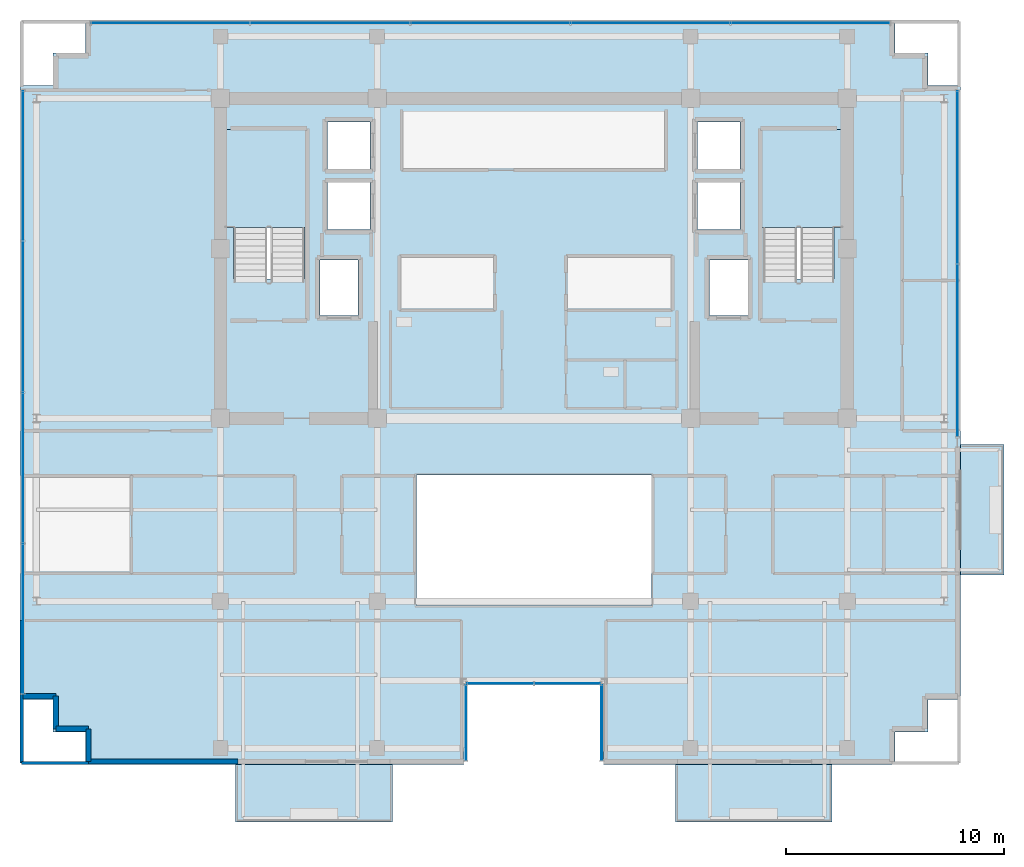
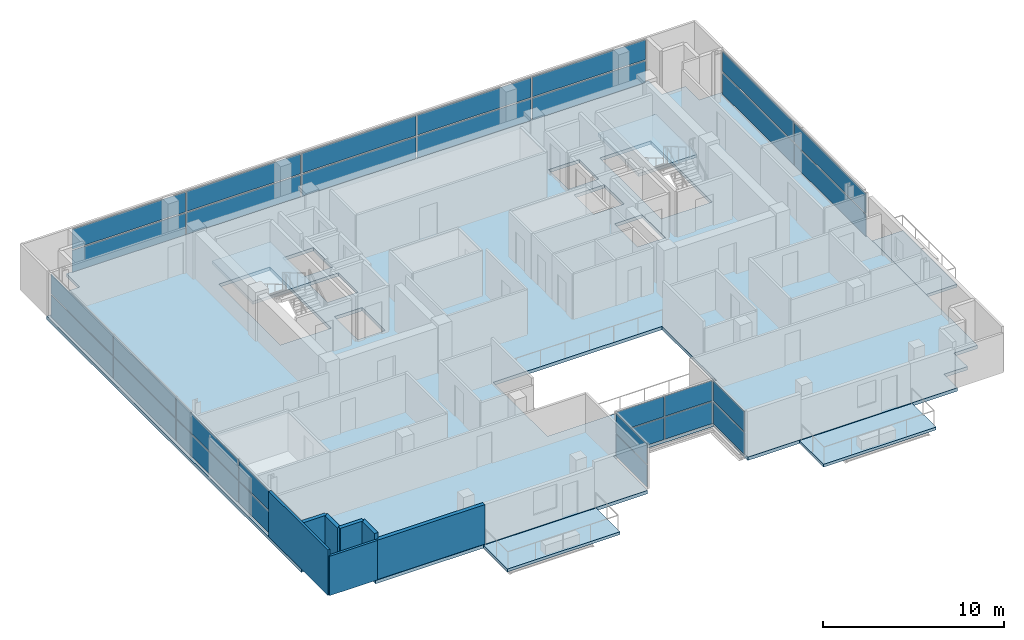
# One storey, part 15 of 23: 30 plates, 7 walls, 6 slabs, 8 elements without a shape of their own.
"""IFC4 building model written with IfcOpenShell, lengths in metres."""

from ifc_helpers import new_model, si_unit, direction, frame, frame_2d, origin, origin_2d, place, context, subcontext, project, spatial, polyline, rectangle, outline, extrude, source, transform, mapped, material, layer, layer_set, type_object, element, aggregate, save


model = new_model("IFC4")

# Units and contexts
model_context = context("Model", 3, precision=1e-05, world=origin(), true_north=direction((0.0, 1.0)))
body_context = subcontext(model_context, "Body", "Model", "MODEL_VIEW")
ifc_project = project(units=[si_unit("LENGTHUNIT", "METRE"), si_unit("AREAUNIT", "SQUARE_METRE"), si_unit("VOLUMEUNIT", "CUBIC_METRE"), si_unit("PLANEANGLEUNIT", "RADIAN"), si_unit("MASSUNIT", "GRAM", prefix="KILO")], contexts=[model_context])

# Site, building, storey
site_placement = place(None, origin())
site = spatial("IfcSite", under=ifc_project, at=site_placement, CompositionType="ELEMENT")
building_placement = place(site_placement, origin())
building = spatial("IfcBuilding", under=site, at=building_placement, Name="Zarnakvel Exchange Tower", CompositionType="ELEMENT")
storey_placement = place(building_placement, frame((0.0, 0.0, 212.199951171875)))
storey = spatial("IfcBuildingStorey", under=building, at=storey_placement, Name="L59", CompositionType="ELEMENT", Elevation=212.199951171875)

# Stair, slab
ifc_material_1 = material(Name="Concrete C40/50", Category="concrete")
stair_type = type_object("IfcStairType", Name="STR-01", PredefinedType="HALF_TURN_STAIR", material=ifc_material_1)
stair_1_placement = place(storey_placement, origin())
stair_1 = element("IfcStair", 1, at=stair_1_placement, inside=storey, type_object=stair_type, Name="L59 Protected Core Exit Stair ST-01", PredefinedType="HALF_TURN_STAIR")
ifc_layer_1 = layer(ifc_material_1, 0.199951171875)
ifc_layer_set_1 = layer_set([ifc_layer_1], Name="Concrete C40/50")
slab_type_1 = type_object("IfcSlabType", Name="LDG-01", PredefinedType="LANDING", material=ifc_layer_set_1)
slab_1_placement = place(storey_placement, frame((0.0, 0.0, 1.449951171875)))
slab_1 = element("IfcSlab", 2, at=slab_1_placement, type_object=slab_type_1, Name="ST-01 landing 1", PredefinedType="LANDING", context=body_context, shape_type="SweptSolid", body=[
    extrude(outline(polyline([(-14.18994140625, 7.570068359375), (-10.4599609375, 7.570068359375), (-10.4599609375, 12.080078125), (-14.18994140625, 12.080078125), (-14.18994140625, 7.570068359375)])), origin(), (0.0, 0.0, 1.0), 0.2001953125),
])
aggregate(stair_1, [slab_1])

stair_2_placement = place(storey_placement, origin())
stair_2 = element("IfcStair", 3, at=stair_2_placement, inside=storey, type_object=stair_type, Name="L59 Protected Core Exit Stair ST-02", PredefinedType="HALF_TURN_STAIR")
slab_2_placement = place(storey_placement, frame((0.0, 0.0, 1.449951171875)))
slab_2 = element("IfcSlab", 4, at=slab_2_placement, type_object=slab_type_1, Name="ST-02 landing 1", PredefinedType="LANDING", context=body_context, shape_type="SweptSolid", body=[
    extrude(outline(polyline([(10.4599609375, 7.570068359375), (14.18994140625, 7.570068359375), (14.18994140625, 12.080078125), (10.4599609375, 12.080078125), (10.4599609375, 7.570068359375)])), origin(), (0.0, 0.0, 1.0), 0.2001953125),
])
aggregate(stair_2, [slab_2])

# Slabs
ifc_layer_2 = layer(ifc_material_1, 0.22509765625)
ifc_layer_set_2 = layer_set([ifc_layer_2], Name="Concrete C40/50")
slab_type_2 = type_object("IfcSlabType", Name="SL-04", PredefinedType="FLOOR", material=ifc_layer_set_2)
slab_3_placement = place(storey_placement, frame((0.0, 0.0, -0.224853515625)))
element("IfcSlab", 5, at=slab_3_placement, inside=storey, type_object=slab_type_2, Name="L59 Primary Structural Floor Slab", PredefinedType="FLOOR", context=body_context, shape_type="SweptSolid", body=[
    extrude(outline(polyline([(-23.60009765625, -14.10009765625), (-22.10009765625, -14.10009765625), (-22.10009765625, -15.60009765625), (-20.60009765625, -15.60009765625), (-20.60009765625, -17.10009765625), (-3.199951171875, -17.10009765625), (-3.199951171875, -13.300048828125), (3.199951171875, -13.300048828125), (3.199951171875, -17.10009765625), (16.60009765625, -17.10009765625), (16.60009765625, -15.60009765625), (18.10009765625, -15.60009765625), (18.10009765625, -14.10009765625), (19.60009765625, -14.10009765625), (19.60009765625, 14.10009765625), (18.10009765625, 14.10009765625), (18.10009765625, 15.60009765625), (16.60009765625, 15.60009765625), (16.60009765625, 17.10009765625), (-20.60009765625, 17.10009765625), (-20.60009765625, 15.60009765625), (-22.10009765625, 15.60009765625), (-22.10009765625, 14.10009765625), (-23.60009765625, 14.10009765625), (-23.60009765625, -14.10009765625)]), holes=[polyline([(-5.39990234375, -9.800048828125), (5.39990234375, -9.800048828125), (5.39990234375, -3.800048828125), (-5.39990234375, -3.800048828125), (-5.39990234375, -9.800048828125)]), polyline([(-13.800048828125, 5.2099609375), (-10.5400390625, 5.2099609375), (-10.5400390625, 12.0), (-13.800048828125, 12.0), (-13.800048828125, 5.2099609375)]), polyline([(10.5400390625, 5.2099609375), (13.800048828125, 5.2099609375), (13.800048828125, 12.0), (10.5400390625, 12.0), (10.5400390625, 5.2099609375)]), polyline([(-9.830078125, 3.52001953125), (-8.070068359375, 3.52001953125), (-8.070068359375, 6.080078125), (-9.830078125, 6.080078125), (-9.830078125, 3.52001953125)]), polyline([(8.070068359375, 3.52001953125), (9.830078125, 3.52001953125), (9.830078125, 6.080078125), (8.070068359375, 6.080078125), (8.070068359375, 3.52001953125)]), polyline([(-9.47998046875, 7.469970703125), (-7.52001953125, 7.469970703125), (-7.52001953125, 9.6298828125), (-9.47998046875, 9.6298828125), (-9.47998046875, 7.469970703125)]), polyline([(-9.47998046875, 10.27001953125), (-7.52001953125, 10.27001953125), (-7.52001953125, 12.429931640625), (-9.47998046875, 12.429931640625), (-9.47998046875, 10.27001953125)]), polyline([(7.52001953125, 7.469970703125), (9.47998046875, 7.469970703125), (9.47998046875, 9.6298828125), (7.52001953125, 9.6298828125), (7.52001953125, 7.469970703125)]), polyline([(7.52001953125, 10.27001953125), (9.47998046875, 10.27001953125), (9.47998046875, 12.429931640625), (7.52001953125, 12.429931640625), (7.52001953125, 10.27001953125)])]), origin(), (0.0, 0.0, 1.0), 0.224853515625),
])
ifc_layer_3 = layer(ifc_material_1, 0.18994140625)
ifc_layer_set_3 = layer_set([ifc_layer_3], Name="Concrete C40/50")
slab_type_3 = type_object("IfcSlabType", Name="SL-08", PredefinedType="USERDEFINED", material=ifc_layer_set_3)
slab_4_placement = place(storey_placement, frame((0.0, 0.0, -0.224853515625)))
element("IfcSlab", 6, at=slab_4_placement, inside=storey, type_object=slab_type_3, Name="L59 Planted Loggia Balcony Slab BAL-L59-SW", ObjectType="BALCONY", PredefinedType="USERDEFINED", context=body_context, shape_type="SweptSolid", body=[
    extrude(outline(polyline([(-13.699951171875, -19.75), (-6.5, -19.75), (-6.5, -17.10009765625), (-13.699951171875, -17.10009765625), (-13.699951171875, -19.75)])), origin(), (0.0, 0.0, 1.0), 0.18994140625),
])
slab_5_placement = place(storey_placement, frame((0.0, 0.0, -0.224853515625)))
element("IfcSlab", 7, at=slab_5_placement, inside=storey, type_object=slab_type_3, Name="L59 Planted Loggia Balcony Slab BAL-L59-SE", ObjectType="BALCONY", PredefinedType="USERDEFINED", context=body_context, shape_type="SweptSolid", body=[
    extrude(outline(polyline([(6.5, -19.75), (13.699951171875, -19.75), (13.699951171875, -17.10009765625), (6.5, -17.10009765625), (6.5, -19.75)])), origin(), (0.0, 0.0, 1.0), 0.18994140625),
])
slab_6_placement = place(storey_placement, frame((0.0, 0.0, -0.224853515625)))
element("IfcSlab", 8, at=slab_6_placement, inside=storey, type_object=slab_type_3, Name="L59 Planted Loggia Balcony Slab BAL-L59-E", ObjectType="BALCONY", PredefinedType="USERDEFINED", context=body_context, shape_type="SweptSolid", body=[
    extrude(outline(polyline([(19.60009765625, -8.39990234375), (21.60009765625, -8.39990234375), (21.60009765625, -2.39990234375), (19.60009765625, -2.39990234375), (19.60009765625, -8.39990234375)])), origin(), (0.0, 0.0, 1.0), 0.18994140625),
])

# Curtain wall, plate
ifc_material_2 = material(Name="Architectural Bronze Anodised Aluminium", Category="aluminium")
ifc_layer_4 = layer(ifc_material_2, 0.179931640625)
ifc_layer_set_4 = layer_set([ifc_layer_4], Name="Architectural Bronze Anodised Aluminium")
curtain_wall_type_1 = type_object("IfcCurtainWallType", Name="CW-05", PredefinedType="NOTDEFINED", material=ifc_layer_set_4)
curtain_wall_1_placement = place(storey_placement, origin())
curtain_wall_1 = element("IfcCurtainWall", 9, at=curtain_wall_1_placement, inside=storey, type_object=curtain_wall_type_1, Name="L59 Curtain Wall CW-L59-SLW (CW-05)", PredefinedType="NOTDEFINED")
ifc_material_3 = material(Name="Double Low-E Laminated Vision Glass", Category="glass")
ifc_layer_5 = layer(ifc_material_3, 0.02587890625)
ifc_layer_set_5 = layer_set([ifc_layer_5], Name="Double Low-E Laminated Vision Glass")
plate_type_1 = type_object("IfcPlateType", Name="CWP-05", PredefinedType="CURTAIN_PANEL", material=ifc_layer_set_5)
shared_shape_1 = source(origin(), body_context, "Body", "SweptSolid", [
    extrude(rectangle(XDim=3.4599609375, YDim=0.02587890625, at=origin_2d()), origin(), (0.0, 0.0, 1.0), 1.483642578125),
])
plate_1_placement = place(storey_placement, frame((-3.1201171875, -15.179931640625, 0.06982421875), z_axis=(0.0, 0.0, 1.0), x_axis=(0.0, 1.0, 0.0)))
plate_1 = element("IfcPlate", 10, at=plate_1_placement, type_object=plate_type_1, Name="CW-05 panel 1.1", PredefinedType="CURTAIN_PANEL", context=body_context, shape_type="MappedRepresentation", body=[
    mapped(shared_shape_1, transform((0.0, 0.0, 0.0), x_axis=(1.0, 0.0, 0.0), y_axis=(0.0, 1.0, 0.0), z_axis=(0.0, 0.0, 1.0), scale=1.0)),
])

curtain_wall_2_placement = place(storey_placement, origin())
curtain_wall_2 = element("IfcCurtainWall", 11, at=curtain_wall_2_placement, inside=storey, type_object=curtain_wall_type_1, Name="L59 Curtain Wall CW-L59-SLE (CW-05)", PredefinedType="NOTDEFINED")
plate_2_placement = place(storey_placement, frame((3.1201171875, -15.179931640625, 0.06982421875), z_axis=(0.0, 0.0, 1.0), x_axis=(0.0, -1.0, 0.0)))
plate_2 = element("IfcPlate", 12, at=plate_2_placement, type_object=plate_type_1, Name="CW-05 panel 1.1", PredefinedType="CURTAIN_PANEL", context=body_context, shape_type="MappedRepresentation", body=[
    mapped(shared_shape_1, transform((0.0, 0.0, 0.0), x_axis=(1.0, 0.0, 0.0), y_axis=(0.0, 1.0, 0.0), z_axis=(0.0, 0.0, 1.0), scale=1.0)),
])

# Plate
shared_shape_2 = source(origin(), body_context, "Body", "SweptSolid", [
    extrude(rectangle(XDim=3.4599609375, YDim=0.02587890625, at=origin_2d()), origin(), (0.0, 0.0, 1.0), 1.361328125),
])
plate_3_placement = place(storey_placement, frame((-3.1201171875, -15.179931640625, 1.623779296875), z_axis=(0.0, 0.0, 1.0), x_axis=(0.0, 1.0, 0.0)))
plate_3 = element("IfcPlate", 13, at=plate_3_placement, type_object=plate_type_1, Name="CW-05 panel 1.2", PredefinedType="CURTAIN_PANEL", context=body_context, shape_type="MappedRepresentation", body=[
    mapped(shared_shape_2, transform((0.0, 0.0, 0.0), x_axis=(1.0, 0.0, 0.0), y_axis=(0.0, 1.0, 0.0), z_axis=(0.0, 0.0, 1.0), scale=1.0)),
])

aggregate(curtain_wall_1, [plate_1, plate_3])

plate_4_placement = place(storey_placement, frame((3.1201171875, -15.179931640625, 1.623779296875), z_axis=(0.0, 0.0, 1.0), x_axis=(0.0, -1.0, 0.0)))
plate_4 = element("IfcPlate", 14, at=plate_4_placement, type_object=plate_type_1, Name="CW-05 panel 1.2", PredefinedType="CURTAIN_PANEL", context=body_context, shape_type="MappedRepresentation", body=[
    mapped(shared_shape_2, transform((0.0, 0.0, 0.0), x_axis=(1.0, 0.0, 0.0), y_axis=(0.0, 1.0, 0.0), z_axis=(0.0, 0.0, 1.0), scale=1.0)),
])

aggregate(curtain_wall_2, [plate_2, plate_4])

# Curtain wall, plates
curtain_wall_3_placement = place(storey_placement, origin())
curtain_wall_3 = element("IfcCurtainWall", 15, at=curtain_wall_3_placement, inside=storey, type_object=curtain_wall_type_1, Name="L59 Curtain Wall CW-L59-SLB (CW-05)", PredefinedType="NOTDEFINED")
shared_shape_3 = source(origin(), body_context, "Body", "SweptSolid", [
    extrude(rectangle(XDim=3.014892578125, YDim=0.02587890625, at=origin_2d()), origin(), (0.0, 0.0, 1.0), 1.483642578125),
])
plate_5_placement = place(storey_placement, frame((-1.54248046875, -13.3798828125, 0.06982421875), z_axis=(0.0, 0.0, 1.0), x_axis=(1.0, 0.0, 0.0)))
plate_5 = element("IfcPlate", 16, at=plate_5_placement, type_object=plate_type_1, Name="CW-05 panel 1.1", PredefinedType="CURTAIN_PANEL", context=body_context, shape_type="MappedRepresentation", body=[
    mapped(shared_shape_3, transform((0.0, 0.0, 0.0), x_axis=(1.0, 0.0, 0.0), y_axis=(0.0, 1.0, 0.0), z_axis=(0.0, 0.0, 1.0), scale=1.0)),
])
plate_6_placement = place(storey_placement, frame((1.54248046875, -13.3798828125, 0.06982421875), z_axis=(0.0, 0.0, 1.0), x_axis=(1.0, 0.0, 0.0)))
plate_6 = element("IfcPlate", 17, at=plate_6_placement, type_object=plate_type_1, Name="CW-05 panel 2.1", PredefinedType="CURTAIN_PANEL", context=body_context, shape_type="MappedRepresentation", body=[
    mapped(shared_shape_3, transform((0.0, 0.0, 0.0), x_axis=(1.0, 0.0, 0.0), y_axis=(0.0, 1.0, 0.0), z_axis=(0.0, 0.0, 1.0), scale=1.0)),
])
shared_shape_4 = source(origin(), body_context, "Body", "SweptSolid", [
    extrude(rectangle(XDim=3.014892578125, YDim=0.02587890625, at=origin_2d()), origin(), (0.0, 0.0, 1.0), 1.361328125),
])
plate_7_placement = place(storey_placement, frame((-1.54248046875, -13.3798828125, 1.623779296875), z_axis=(0.0, 0.0, 1.0), x_axis=(1.0, 0.0, 0.0)))
plate_7 = element("IfcPlate", 18, at=plate_7_placement, type_object=plate_type_1, Name="CW-05 panel 1.2", PredefinedType="CURTAIN_PANEL", context=body_context, shape_type="MappedRepresentation", body=[
    mapped(shared_shape_4, transform((0.0, 0.0, 0.0), x_axis=(1.0, 0.0, 0.0), y_axis=(0.0, 1.0, 0.0), z_axis=(0.0, 0.0, 1.0), scale=1.0)),
])
plate_8_placement = place(storey_placement, frame((1.54248046875, -13.3798828125, 1.623779296875), z_axis=(0.0, 0.0, 1.0), x_axis=(1.0, 0.0, 0.0)))
plate_8 = element("IfcPlate", 19, at=plate_8_placement, type_object=plate_type_1, Name="CW-05 panel 2.2", PredefinedType="CURTAIN_PANEL", context=body_context, shape_type="MappedRepresentation", body=[
    mapped(shared_shape_4, transform((0.0, 0.0, 0.0), x_axis=(1.0, 0.0, 0.0), y_axis=(0.0, 1.0, 0.0), z_axis=(0.0, 0.0, 1.0), scale=1.0)),
])
aggregate(curtain_wall_3, [plate_5, plate_7, plate_6, plate_8])

ifc_layer_6 = layer(ifc_material_2, 0.199951171875)
ifc_layer_set_6 = layer_set([ifc_layer_6], Name="Architectural Bronze Anodised Aluminium")
curtain_wall_type_2 = type_object("IfcCurtainWallType", Name="CW-04", PredefinedType="NOTDEFINED", material=ifc_layer_set_6)
curtain_wall_4_placement = place(storey_placement, origin())
curtain_wall_4 = element("IfcCurtainWall", 20, at=curtain_wall_4_placement, inside=storey, type_object=curtain_wall_type_2, Name="L59 Curtain Wall CW-L59-W1 (CW-04)", PredefinedType="NOTDEFINED")
ifc_layer_7 = layer(ifc_material_3, 0.028076171875)
ifc_layer_set_7 = layer_set([ifc_layer_7], Name="Double Low-E Laminated Vision Glass")
plate_type_2 = type_object("IfcPlateType", Name="CWP-04", PredefinedType="CURTAIN_PANEL", material=ifc_layer_set_7)
shared_shape_5 = source(origin(), body_context, "Body", "SweptSolid", [
    extrude(rectangle(XDim=6.83740234375, YDim=0.028076171875, at=origin_2d()), origin(), (0.0, 0.0, 1.0), 1.47607421875),
])
plate_9_placement = place(storey_placement, frame((-23.4599609375, -10.40625, 0.074951171875), z_axis=(0.0, 0.0, 1.0), x_axis=(0.0, 1.0, 0.0)))
plate_9 = element("IfcPlate", 21, at=plate_9_placement, type_object=plate_type_2, Name="CW-04 panel 1.1", PredefinedType="CURTAIN_PANEL", context=body_context, shape_type="MappedRepresentation", body=[
    mapped(shared_shape_5, transform((0.0, 0.0, 0.0), x_axis=(1.0, 0.0, 0.0), y_axis=(0.0, 1.0, 0.0), z_axis=(0.0, 0.0, 1.0), scale=1.0)),
])
plate_10_placement = place(storey_placement, frame((-23.4599609375, 10.40625, 0.074951171875), z_axis=(0.0, 0.0, 1.0), x_axis=(0.0, 1.0, 0.0)))
plate_10 = element("IfcPlate", 22, at=plate_10_placement, type_object=plate_type_2, Name="CW-04 panel 4.1", PredefinedType="CURTAIN_PANEL", context=body_context, shape_type="MappedRepresentation", body=[
    mapped(shared_shape_5, transform((0.0, 0.0, 0.0), x_axis=(1.0, 0.0, 0.0), y_axis=(0.0, 1.0, 0.0), z_axis=(0.0, 0.0, 1.0), scale=1.0)),
])
shared_shape_6 = source(origin(), body_context, "Body", "SweptSolid", [
    extrude(rectangle(XDim=6.83740234375, YDim=0.028076171875, at=origin_2d()), origin(), (0.0, 0.0, 1.0), 1.35400390625),
])
plate_11_placement = place(storey_placement, frame((-23.4599609375, -10.40625, 1.6259765625), z_axis=(0.0, 0.0, 1.0), x_axis=(0.0, 1.0, 0.0)))
plate_11 = element("IfcPlate", 23, at=plate_11_placement, type_object=plate_type_2, Name="CW-04 panel 1.2", PredefinedType="CURTAIN_PANEL", context=body_context, shape_type="MappedRepresentation", body=[
    mapped(shared_shape_6, transform((0.0, 0.0, 0.0), x_axis=(1.0, 0.0, 0.0), y_axis=(0.0, 1.0, 0.0), z_axis=(0.0, 0.0, 1.0), scale=1.0)),
])
plate_12_placement = place(storey_placement, frame((-23.4599609375, 10.40625, 1.6259765625), z_axis=(0.0, 0.0, 1.0), x_axis=(0.0, 1.0, 0.0)))
plate_12 = element("IfcPlate", 24, at=plate_12_placement, type_object=plate_type_2, Name="CW-04 panel 4.2", PredefinedType="CURTAIN_PANEL", context=body_context, shape_type="MappedRepresentation", body=[
    mapped(shared_shape_6, transform((0.0, 0.0, 0.0), x_axis=(1.0, 0.0, 0.0), y_axis=(0.0, 1.0, 0.0), z_axis=(0.0, 0.0, 1.0), scale=1.0)),
])
shared_shape_7 = source(origin(), body_context, "Body", "SweptSolid", [
    extrude(rectangle(XDim=6.875, YDim=0.028076171875, at=origin_2d()), origin(), (0.0, 0.0, 1.0), 1.47607421875),
])
plate_13_placement = place(storey_placement, frame((-23.4599609375, -3.47509765625, 0.074951171875), z_axis=(0.0, 0.0, 1.0), x_axis=(0.0, 1.0, 0.0)))
plate_13 = element("IfcPlate", 25, at=plate_13_placement, type_object=plate_type_2, Name="CW-04 panel 2.1", PredefinedType="CURTAIN_PANEL", context=body_context, shape_type="MappedRepresentation", body=[
    mapped(shared_shape_7, transform((0.0, 0.0, 0.0), x_axis=(1.0, 0.0, 0.0), y_axis=(0.0, 1.0, 0.0), z_axis=(0.0, 0.0, 1.0), scale=1.0)),
])
plate_14_placement = place(storey_placement, frame((-23.4599609375, 3.47509765625, 0.074951171875), z_axis=(0.0, 0.0, 1.0), x_axis=(0.0, 1.0, 0.0)))
plate_14 = element("IfcPlate", 26, at=plate_14_placement, type_object=plate_type_2, Name="CW-04 panel 3.1", PredefinedType="CURTAIN_PANEL", context=body_context, shape_type="MappedRepresentation", body=[
    mapped(shared_shape_7, transform((0.0, 0.0, 0.0), x_axis=(1.0, 0.0, 0.0), y_axis=(0.0, 1.0, 0.0), z_axis=(0.0, 0.0, 1.0), scale=1.0)),
])
shared_shape_8 = source(origin(), body_context, "Body", "SweptSolid", [
    extrude(rectangle(XDim=6.875, YDim=0.028076171875, at=origin_2d()), origin(), (0.0, 0.0, 1.0), 1.35400390625),
])
plate_15_placement = place(storey_placement, frame((-23.4599609375, -3.47509765625, 1.6259765625), z_axis=(0.0, 0.0, 1.0), x_axis=(0.0, 1.0, 0.0)))
plate_15 = element("IfcPlate", 27, at=plate_15_placement, type_object=plate_type_2, Name="CW-04 panel 2.2", PredefinedType="CURTAIN_PANEL", context=body_context, shape_type="MappedRepresentation", body=[
    mapped(shared_shape_8, transform((0.0, 0.0, 0.0), x_axis=(1.0, 0.0, 0.0), y_axis=(0.0, 1.0, 0.0), z_axis=(0.0, 0.0, 1.0), scale=1.0)),
])
plate_16_placement = place(storey_placement, frame((-23.4599609375, 3.47509765625, 1.6259765625), z_axis=(0.0, 0.0, 1.0), x_axis=(0.0, 1.0, 0.0)))
plate_16 = element("IfcPlate", 28, at=plate_16_placement, type_object=plate_type_2, Name="CW-04 panel 3.2", PredefinedType="CURTAIN_PANEL", context=body_context, shape_type="MappedRepresentation", body=[
    mapped(shared_shape_8, transform((0.0, 0.0, 0.0), x_axis=(1.0, 0.0, 0.0), y_axis=(0.0, 1.0, 0.0), z_axis=(0.0, 0.0, 1.0), scale=1.0)),
])
aggregate(curtain_wall_4, [plate_9, plate_11, plate_13, plate_15, plate_14, plate_16, plate_10, plate_12])

curtain_wall_5_placement = place(storey_placement, origin())
curtain_wall_5 = element("IfcCurtainWall", 29, at=curtain_wall_5_placement, inside=storey, type_object=curtain_wall_type_2, Name="L59 Curtain Wall CW-L59-EN (CW-04)", PredefinedType="NOTDEFINED")
shared_shape_9 = source(origin(), body_context, "Body", "SweptSolid", [
    extrude(rectangle(XDim=7.887451171875, YDim=0.028076171875, at=origin_2d()), origin(), (0.0, 0.0, 1.0), 1.47607421875),
])
plate_17_placement = place(storey_placement, frame((19.4599609375, 1.918701171875, 0.074951171875), z_axis=(0.0, 0.0, 1.0), x_axis=(0.0, 1.0, 0.0)))
plate_17 = element("IfcPlate", 30, at=plate_17_placement, type_object=plate_type_2, Name="CW-04 panel 1.1", PredefinedType="CURTAIN_PANEL", context=body_context, shape_type="MappedRepresentation", body=[
    mapped(shared_shape_9, transform((0.0, 0.0, 0.0), x_axis=(1.0, 0.0, 0.0), y_axis=(0.0, 1.0, 0.0), z_axis=(0.0, 0.0, 1.0), scale=1.0)),
])
plate_18_placement = place(storey_placement, frame((19.4599609375, 9.88134765625, 0.074951171875), z_axis=(0.0, 0.0, 1.0), x_axis=(0.0, 1.0, 0.0)))
plate_18 = element("IfcPlate", 31, at=plate_18_placement, type_object=plate_type_2, Name="CW-04 panel 2.1", PredefinedType="CURTAIN_PANEL", context=body_context, shape_type="MappedRepresentation", body=[
    mapped(shared_shape_9, transform((0.0, 0.0, 0.0), x_axis=(1.0, 0.0, 0.0), y_axis=(0.0, 1.0, 0.0), z_axis=(0.0, 0.0, 1.0), scale=1.0)),
])
shared_shape_10 = source(origin(), body_context, "Body", "SweptSolid", [
    extrude(rectangle(XDim=7.887451171875, YDim=0.028076171875, at=origin_2d()), origin(), (0.0, 0.0, 1.0), 1.35400390625),
])
plate_19_placement = place(storey_placement, frame((19.4599609375, 1.918701171875, 1.6259765625), z_axis=(0.0, 0.0, 1.0), x_axis=(0.0, 1.0, 0.0)))
plate_19 = element("IfcPlate", 32, at=plate_19_placement, type_object=plate_type_2, Name="CW-04 panel 1.2", PredefinedType="CURTAIN_PANEL", context=body_context, shape_type="MappedRepresentation", body=[
    mapped(shared_shape_10, transform((0.0, 0.0, 0.0), x_axis=(1.0, 0.0, 0.0), y_axis=(0.0, 1.0, 0.0), z_axis=(0.0, 0.0, 1.0), scale=1.0)),
])
plate_20_placement = place(storey_placement, frame((19.4599609375, 9.88134765625, 1.6259765625), z_axis=(0.0, 0.0, 1.0), x_axis=(0.0, 1.0, 0.0)))
plate_20 = element("IfcPlate", 33, at=plate_20_placement, type_object=plate_type_2, Name="CW-04 panel 2.2", PredefinedType="CURTAIN_PANEL", context=body_context, shape_type="MappedRepresentation", body=[
    mapped(shared_shape_10, transform((0.0, 0.0, 0.0), x_axis=(1.0, 0.0, 0.0), y_axis=(0.0, 1.0, 0.0), z_axis=(0.0, 0.0, 1.0), scale=1.0)),
])
aggregate(curtain_wall_5, [plate_17, plate_19, plate_18, plate_20])

ifc_layer_8 = layer(ifc_material_2, 0.219970703125)
ifc_layer_set_8 = layer_set([ifc_layer_8], Name="Architectural Bronze Anodised Aluminium")
curtain_wall_type_3 = type_object("IfcCurtainWallType", Name="CW-03", PredefinedType="NOTDEFINED", material=ifc_layer_set_8)
curtain_wall_6_placement = place(storey_placement, origin())
curtain_wall_6 = element("IfcCurtainWall", 34, at=curtain_wall_6_placement, inside=storey, type_object=curtain_wall_type_3, Name="L59 Curtain Wall CW-L59-N1 (CW-03)", PredefinedType="NOTDEFINED")
ifc_layer_9 = layer(ifc_material_3, 0.030029296875)
ifc_layer_set_9 = layer_set([ifc_layer_9], Name="Double Low-E Laminated Vision Glass")
plate_type_3 = type_object("IfcPlateType", Name="CWP-03", PredefinedType="CURTAIN_PANEL", material=ifc_layer_set_9)
shared_shape_11 = source(origin(), body_context, "Body", "SweptSolid", [
    extrude(rectangle(XDim=7.239990234375, YDim=0.030029296875, at=origin_2d()), origin(), (0.0, 0.0, 1.0), 1.468505859375),
])
plate_21_placement = place(storey_placement, frame((-16.699951171875, 16.9599609375, 0.080078125), z_axis=(0.0, 0.0, 1.0), x_axis=(1.0, 0.0, 0.0)))
plate_21 = element("IfcPlate", 35, at=plate_21_placement, type_object=plate_type_3, Name="CW-03 panel 1.1", PredefinedType="CURTAIN_PANEL", context=body_context, shape_type="MappedRepresentation", body=[
    mapped(shared_shape_11, transform((0.0, 0.0, 0.0), x_axis=(1.0, 0.0, 0.0), y_axis=(0.0, 1.0, 0.0), z_axis=(0.0, 0.0, 1.0), scale=1.0)),
])
plate_22_placement = place(storey_placement, frame((12.699951171875, 16.9599609375, 0.080078125), z_axis=(0.0, 0.0, 1.0), x_axis=(1.0, 0.0, 0.0)))
plate_22 = element("IfcPlate", 36, at=plate_22_placement, type_object=plate_type_3, Name="CW-03 panel 5.1", PredefinedType="CURTAIN_PANEL", context=body_context, shape_type="MappedRepresentation", body=[
    mapped(shared_shape_11, transform((0.0, 0.0, 0.0), x_axis=(1.0, 0.0, 0.0), y_axis=(0.0, 1.0, 0.0), z_axis=(0.0, 0.0, 1.0), scale=1.0)),
])
shared_shape_12 = source(origin(), body_context, "Body", "SweptSolid", [
    extrude(rectangle(XDim=7.239990234375, YDim=0.030029296875, at=origin_2d()), origin(), (0.0, 0.0, 1.0), 1.346435546875),
])
plate_23_placement = place(storey_placement, frame((-16.699951171875, 16.9599609375, 1.62841796875), z_axis=(0.0, 0.0, 1.0), x_axis=(1.0, 0.0, 0.0)))
plate_23 = element("IfcPlate", 37, at=plate_23_placement, type_object=plate_type_3, Name="CW-03 panel 1.2", PredefinedType="CURTAIN_PANEL", context=body_context, shape_type="MappedRepresentation", body=[
    mapped(shared_shape_12, transform((0.0, 0.0, 0.0), x_axis=(1.0, 0.0, 0.0), y_axis=(0.0, 1.0, 0.0), z_axis=(0.0, 0.0, 1.0), scale=1.0)),
])
plate_24_placement = place(storey_placement, frame((12.699951171875, 16.9599609375, 1.62841796875), z_axis=(0.0, 0.0, 1.0), x_axis=(1.0, 0.0, 0.0)))
plate_24 = element("IfcPlate", 38, at=plate_24_placement, type_object=plate_type_3, Name="CW-03 panel 5.2", PredefinedType="CURTAIN_PANEL", context=body_context, shape_type="MappedRepresentation", body=[
    mapped(shared_shape_12, transform((0.0, 0.0, 0.0), x_axis=(1.0, 0.0, 0.0), y_axis=(0.0, 1.0, 0.0), z_axis=(0.0, 0.0, 1.0), scale=1.0)),
])
shared_shape_13 = source(origin(), body_context, "Body", "SweptSolid", [
    extrude(rectangle(XDim=7.280029296875, YDim=0.030029296875, at=origin_2d()), origin(), (0.0, 0.0, 1.0), 1.468505859375),
])
plate_25_placement = place(storey_placement, frame((-9.360107421875, 16.9599609375, 0.080078125), z_axis=(0.0, 0.0, 1.0), x_axis=(1.0, 0.0, 0.0)))
plate_25 = element("IfcPlate", 39, at=plate_25_placement, type_object=plate_type_3, Name="CW-03 panel 2.1", PredefinedType="CURTAIN_PANEL", context=body_context, shape_type="MappedRepresentation", body=[
    mapped(shared_shape_13, transform((0.0, 0.0, 0.0), x_axis=(1.0, 0.0, 0.0), y_axis=(0.0, 1.0, 0.0), z_axis=(0.0, 0.0, 1.0), scale=1.0)),
])
plate_26_placement = place(storey_placement, frame((-2.0, 16.9599609375, 0.080078125), z_axis=(0.0, 0.0, 1.0), x_axis=(1.0, 0.0, 0.0)))
plate_26 = element("IfcPlate", 40, at=plate_26_placement, type_object=plate_type_3, Name="CW-03 panel 3.1", PredefinedType="CURTAIN_PANEL", context=body_context, shape_type="MappedRepresentation", body=[
    mapped(shared_shape_13, transform((0.0, 0.0, 0.0), x_axis=(1.0, 0.0, 0.0), y_axis=(0.0, 1.0, 0.0), z_axis=(0.0, 0.0, 1.0), scale=1.0)),
])
plate_27_placement = place(storey_placement, frame((5.360107421875, 16.9599609375, 0.080078125), z_axis=(0.0, 0.0, 1.0), x_axis=(1.0, 0.0, 0.0)))
plate_27 = element("IfcPlate", 41, at=plate_27_placement, type_object=plate_type_3, Name="CW-03 panel 4.1", PredefinedType="CURTAIN_PANEL", context=body_context, shape_type="MappedRepresentation", body=[
    mapped(shared_shape_13, transform((0.0, 0.0, 0.0), x_axis=(1.0, 0.0, 0.0), y_axis=(0.0, 1.0, 0.0), z_axis=(0.0, 0.0, 1.0), scale=1.0)),
])
shared_shape_14 = source(origin(), body_context, "Body", "SweptSolid", [
    extrude(rectangle(XDim=7.280029296875, YDim=0.030029296875, at=origin_2d()), origin(), (0.0, 0.0, 1.0), 1.346435546875),
])
plate_28_placement = place(storey_placement, frame((-9.360107421875, 16.9599609375, 1.62841796875), z_axis=(0.0, 0.0, 1.0), x_axis=(1.0, 0.0, 0.0)))
plate_28 = element("IfcPlate", 42, at=plate_28_placement, type_object=plate_type_3, Name="CW-03 panel 2.2", PredefinedType="CURTAIN_PANEL", context=body_context, shape_type="MappedRepresentation", body=[
    mapped(shared_shape_14, transform((0.0, 0.0, 0.0), x_axis=(1.0, 0.0, 0.0), y_axis=(0.0, 1.0, 0.0), z_axis=(0.0, 0.0, 1.0), scale=1.0)),
])
plate_29_placement = place(storey_placement, frame((-2.0, 16.9599609375, 1.62841796875), z_axis=(0.0, 0.0, 1.0), x_axis=(1.0, 0.0, 0.0)))
plate_29 = element("IfcPlate", 43, at=plate_29_placement, type_object=plate_type_3, Name="CW-03 panel 3.2", PredefinedType="CURTAIN_PANEL", context=body_context, shape_type="MappedRepresentation", body=[
    mapped(shared_shape_14, transform((0.0, 0.0, 0.0), x_axis=(1.0, 0.0, 0.0), y_axis=(0.0, 1.0, 0.0), z_axis=(0.0, 0.0, 1.0), scale=1.0)),
])
plate_30_placement = place(storey_placement, frame((5.360107421875, 16.9599609375, 1.62841796875), z_axis=(0.0, 0.0, 1.0), x_axis=(1.0, 0.0, 0.0)))
plate_30 = element("IfcPlate", 44, at=plate_30_placement, type_object=plate_type_3, Name="CW-03 panel 4.2", PredefinedType="CURTAIN_PANEL", context=body_context, shape_type="MappedRepresentation", body=[
    mapped(shared_shape_14, transform((0.0, 0.0, 0.0), x_axis=(1.0, 0.0, 0.0), y_axis=(0.0, 1.0, 0.0), z_axis=(0.0, 0.0, 1.0), scale=1.0)),
])
aggregate(curtain_wall_6, [plate_21, plate_23, plate_25, plate_28, plate_26, plate_29, plate_27, plate_30, plate_22, plate_24])

# Walls
ifc_material_4 = material(Name="Precast concrete C40/50", Category="concrete")
ifc_layer_10 = layer(ifc_material_4, 0.239990234375)
ifc_layer_set_10 = layer_set([ifc_layer_10], Name="Precast concrete C40/50")
wall_type_1 = type_object("IfcWallType", Name="EW-02", PredefinedType="SOLIDWALL", material=ifc_layer_set_10)
wall_1_placement = place(storey_placement, frame((-20.4599609375, -16.9599609375, 0.0), z_axis=(0.0, 0.0, 1.0), x_axis=(1.0, 0.0, 0.0)))
element("IfcWall", 45, at=wall_1_placement, inside=storey, type_object=wall_type_1, Name="L59 Exterior Precast Spandrel Wall EWC-L59-22 (EW-02)", PredefinedType="SOLIDWALL", context=body_context, shape_type="SweptSolid", body=[
    extrude(rectangle(XDim=6.85986328125, YDim=0.239990234375, at=frame_2d((3.429931640625, 0.0))), origin(), (0.0, 0.0, 1.0), 2.6650390625),
])
for number, where, z_axis, x_axis, name in (
    (46, (-20.4599609375, -15.4599609375, 0.0), (0.0, 0.0, 1.0), (0.0, -1.0, 0.0), "L59 Exterior Precast Spandrel Wall EWC-L59-23 (EW-02)"),
    (47, (-21.9599609375, -15.4599609375, 0.0), (0.0, 0.0, 1.0), (1.0, 0.0, 0.0), "L59 Exterior Precast Spandrel Wall EWC-L59-24 (EW-02)"),
    (48, (-21.9599609375, -13.9599609375, 0.0), (0.0, 0.0, 1.0), (0.0, -1.0, 0.0), "L59 Exterior Precast Spandrel Wall EWC-L59-25 (EW-02)"),
    (49, (-23.4599609375, -13.9599609375, 0.0), (0.0, 0.0, 1.0), (1.0, 0.0, 0.0), "L59 Exterior Precast Spandrel Wall EWC-L59-26 (EW-02)"),
):
    element("IfcWall", number, at=place(storey_placement, frame(where, z_axis=z_axis, x_axis=x_axis)), inside=storey, type_object=wall_type_1, Name=name, PredefinedType="SOLIDWALL", context=body_context, shape_type="SweptSolid", body=[
        extrude(rectangle(XDim=1.5, YDim=0.239990234375, at=frame_2d((0.75, 0.0))), origin(), (0.0, 0.0, 1.0), 3.074951171875),
    ])
ifc_material_5 = material(Name="Fire-Rated Gypsum Stud Partition", Category="gypsum")
ifc_layer_11 = layer(ifc_material_5, 0.14990234375)
ifc_layer_set_11 = layer_set([ifc_layer_11], Name="Fire-Rated Gypsum Stud Partition")
wall_type_2 = type_object("IfcWallType", Name="PT-01", PredefinedType="PARTITIONING", material=ifc_layer_set_11)
wall_2_placement = place(storey_placement, frame((-20.4599609375, -17.030029296875, 0.0), z_axis=(0.0, 0.0, 1.0), x_axis=(-1.0, 0.0, 0.0)))
element("IfcWall", 50, at=wall_2_placement, inside=storey, type_object=wall_type_2, Name="L59 Partition Wall PWALL-L59-040 (PT-01)", PredefinedType="PARTITIONING", context=body_context, shape_type="SweptSolid", body=[
    extrude(rectangle(XDim=3.070068359375, YDim=0.14990234375, at=frame_2d((1.53515625, 0.0))), origin(), (0.0, 0.0, 1.0), 2.6650390625),
])
wall_3_placement = place(storey_placement, frame((-23.530029296875, -17.030029296875, 0.0), z_axis=(0.0, 0.0, 1.0), x_axis=(0.0, 1.0, 0.0)))
element("IfcWall", 51, at=wall_3_placement, inside=storey, type_object=wall_type_2, Name="L59 Partition Wall PWALL-L59-042 (PT-01)", PredefinedType="PARTITIONING", context=body_context, shape_type="SweptSolid", body=[
    extrude(rectangle(XDim=6.550048828125, YDim=0.14990234375, at=frame_2d((3.27490234375, 0.0))), origin(), (0.0, 0.0, 1.0), 3.074951171875),
])

save(model, "model.ifc")
